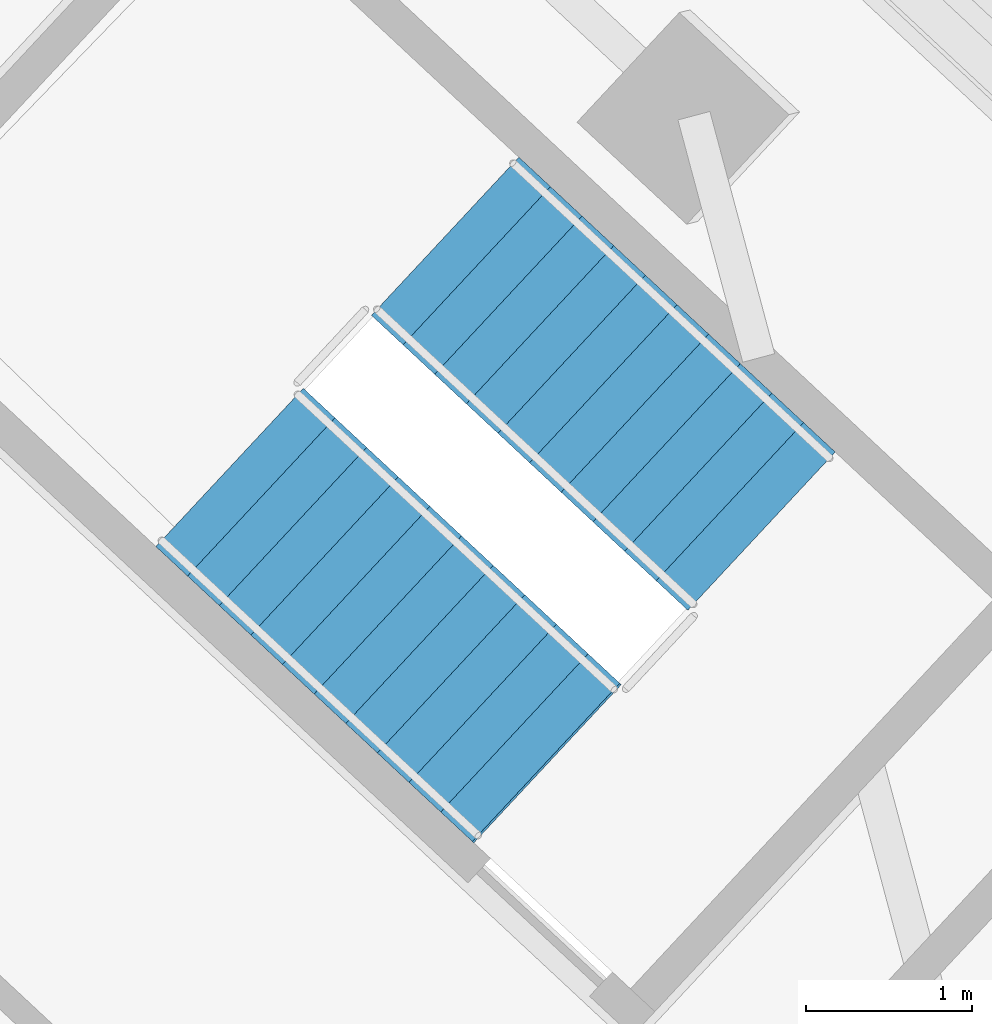
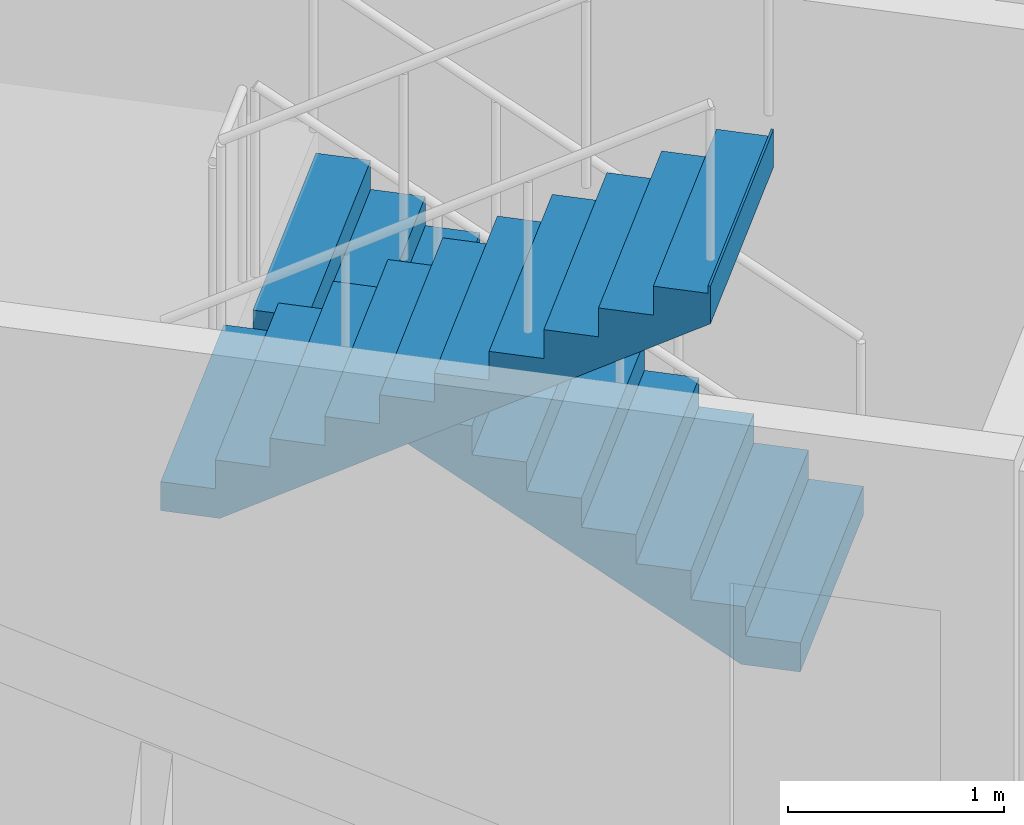
# One storey, part 22 of 30: 2 stair flights, 1 element without a shape of its own.
"""IFC4 building model written with IfcOpenShell, lengths in metres."""

from ifc_helpers import new_model, si_unit, direction, frame, origin, place, context, subcontext, project, spatial, polyline, outline, extrude, material, type_object, element, aggregate, save


model = new_model("IFC4")

# Units and contexts
model_context = context("Model", 3, precision=1e-05, world=origin(), true_north=direction((0.0, 1.0)))
body_context = subcontext(model_context, "Body", "Model", "MODEL_VIEW")
ifc_project = project(units=[si_unit("LENGTHUNIT", "METRE"), si_unit("AREAUNIT", "SQUARE_METRE"), si_unit("VOLUMEUNIT", "CUBIC_METRE"), si_unit("PLANEANGLEUNIT", "RADIAN"), si_unit("MASSUNIT", "GRAM", prefix="KILO")], contexts=[model_context])

# Site, building, storey
site_placement = place(None, origin())
site = spatial("IfcSite", under=ifc_project, at=site_placement, CompositionType="ELEMENT")
building_placement = place(site_placement, origin())
building = spatial("IfcBuilding", under=site, at=building_placement, Name="Tamarind Cross Interchange Tower", CompositionType="ELEMENT")
storey_placement = place(building_placement, frame((0.0, 0.0, 204.10009765625)))
storey = spatial("IfcBuildingStorey", under=building, at=storey_placement, Name="L51", CompositionType="ELEMENT", Elevation=204.10009765625)

# Stair, stair flights
ifc_material_1 = material(Name="Exit stair")
stair_type = type_object("IfcStairType", Name="Exit stair", PredefinedType="HALF_TURN_STAIR", material=ifc_material_1)
stair_placement = place(storey_placement, origin())
stair = element("IfcStair", 1, at=stair_placement, inside=storey, type_object=stair_type, Name="L51 exit stair ST4", PredefinedType="HALF_TURN_STAIR")
ifc_material_2 = material(Name="Exit stair flight")
stair_flight_type = type_object("IfcStairFlightType", Name="Exit stair flight", PredefinedType="STRAIGHT", material=ifc_material_2)
stair_flight_1_placement = place(storey_placement, frame((-1.91552734375, 29.184814453125, 0.0), z_axis=(0.0, 0.0, 1.0), x_axis=(-0.73154412297, 0.681794100992, 0.0)))
stair_flight_1 = element("IfcStairFlight", 2, at=stair_flight_1_placement, type_object=stair_flight_type, Name="ST4 flight 1", NumberOfRisers=11, NumberOfTreads=10, PredefinedType="STRAIGHT", RiserHeight=0.163636364, TreadLength=0.26, context=body_context, shape_type="SweptSolid", body=[
    extrude(outline(polyline([(0.0, 0.0), (0.0, 0.16357421875), (0.260009765625, 0.16357421875), (0.260009765625, 0.327392578125), (0.52001953125, 0.327392578125), (0.52001953125, 0.490966796875), (0.780029296875, 0.490966796875), (0.780029296875, 0.654541015625), (1.0400390625, 0.654541015625), (1.0400390625, 0.818115234375), (1.300048828125, 0.818115234375), (1.300048828125, 0.98193359375), (1.56005859375, 0.98193359375), (1.56005859375, 1.1455078125), (1.820068359375, 1.1455078125), (1.820068359375, 1.30908203125), (2.080078125, 1.30908203125), (2.080078125, 1.47265625), (2.340087890625, 1.47265625), (2.340087890625, 1.636474609375), (2.60009765625, 1.636474609375), (2.60009765625, 1.800048828125), (2.60009765625, 1.459228515625), (0.281494140625, 0.0), (0.0, 0.0)])), frame((0.0, 0.64990234375, 0.0), z_axis=(0.0, -1.0, 0.0), x_axis=(1.0, 0.0, 0.0)), (0.0, 0.0, 1.0), 1.300048828125),
])
stair_flight_2_placement = place(storey_placement, frame((-5.113037109375, 29.567626953125, 1.7998046875), z_axis=(0.0, 0.0, 1.0), x_axis=(0.73154412297, -0.681794100992, 0.0)))
stair_flight_2 = element("IfcStairFlight", 3, at=stair_flight_2_placement, type_object=stair_flight_type, Name="ST4 flight 2", NumberOfRisers=11, NumberOfTreads=10, PredefinedType="STRAIGHT", RiserHeight=0.163636364, TreadLength=0.26, context=body_context, shape_type="SweptSolid", body=[
    extrude(outline(polyline([(0.0, 0.0), (0.0, 0.16357421875), (0.260009765625, 0.16357421875), (0.260009765625, 0.327392578125), (0.52001953125, 0.327392578125), (0.52001953125, 0.490966796875), (0.780029296875, 0.490966796875), (0.780029296875, 0.654541015625), (1.0400390625, 0.654541015625), (1.0400390625, 0.818115234375), (1.300048828125, 0.818115234375), (1.300048828125, 0.98193359375), (1.56005859375, 0.98193359375), (1.56005859375, 1.1455078125), (1.820068359375, 1.1455078125), (1.820068359375, 1.30908203125), (2.080078125, 1.30908203125), (2.080078125, 1.47265625), (2.340087890625, 1.47265625), (2.340087890625, 1.636474609375), (2.60009765625, 1.636474609375), (2.60009765625, 1.679931640625), (2.612060546875, 1.679931640625), (2.612060546875, 1.466796875), (0.281494140625, 0.0), (0.0, 0.0)])), frame((0.0, 0.64990234375, 0.0), z_axis=(0.0, -1.0, 0.0), x_axis=(1.0, 0.0, 0.0)), (0.0, 0.0, 1.0), 1.300048828125),
])
aggregate(stair, [stair_flight_1, stair_flight_2])

save(model, "model.ifc")
